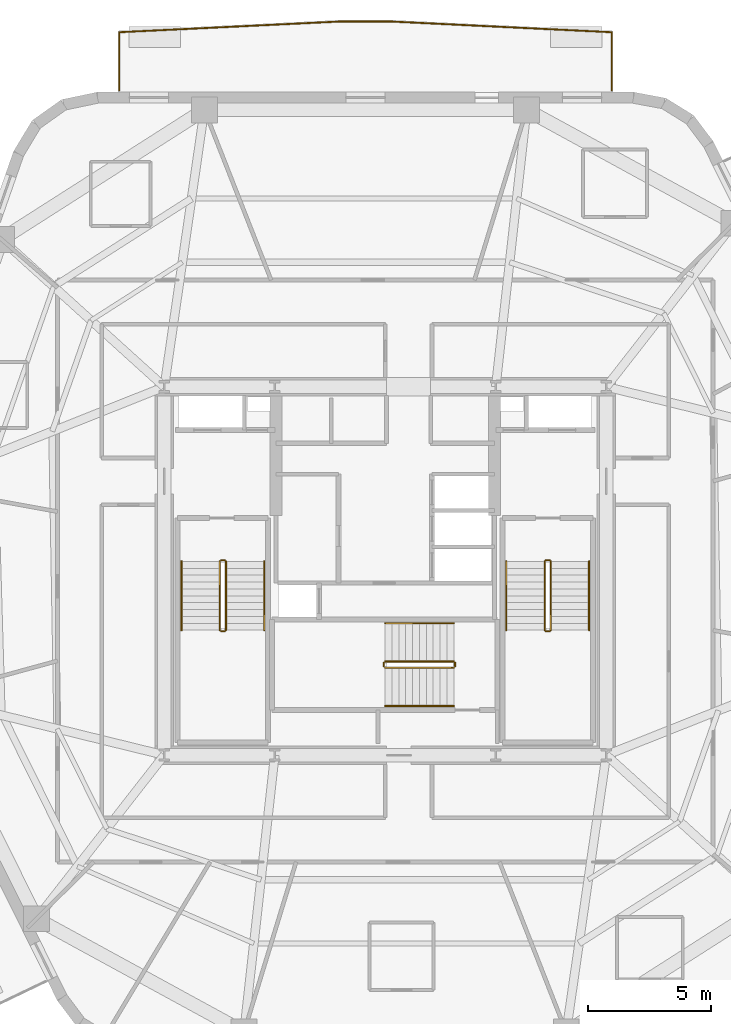
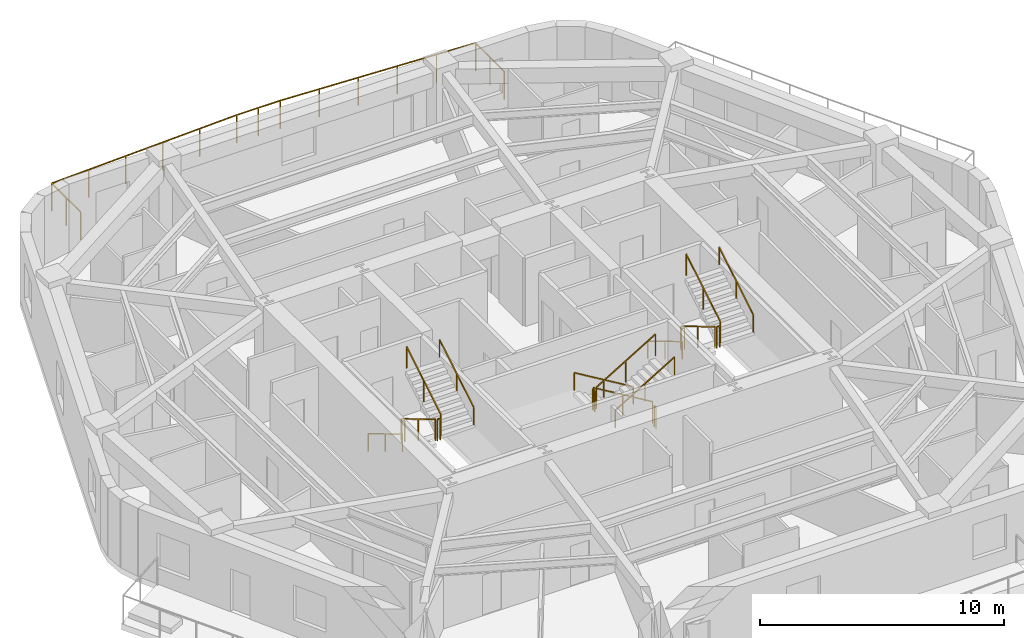
# One storey, part 9 of 10: 19 railings.
"""IFC4 building model written with IfcOpenShell, lengths in metres."""

from ifc_helpers import new_model, si_unit, direction, frame, origin, origin_2d, place, context, subcontext, project, spatial, rectangle, extrude, material, layer, layer_set, type_object, element, save


model = new_model("IFC4")

# Units and contexts
model_context = context("Model", 3, precision=1e-05, world=origin(), true_north=direction((0.0, 1.0)))
body_context = subcontext(model_context, "Body", "Model", "MODEL_VIEW")
ifc_project = project(units=[si_unit("LENGTHUNIT", "METRE"), si_unit("AREAUNIT", "SQUARE_METRE"), si_unit("VOLUMEUNIT", "CUBIC_METRE"), si_unit("PLANEANGLEUNIT", "RADIAN"), si_unit("MASSUNIT", "GRAM", prefix="KILO")], contexts=[model_context])

# Site, building, storey
site_placement = place(None, origin())
site = spatial("IfcSite", under=ifc_project, at=site_placement, CompositionType="ELEMENT")
building_placement = place(site_placement, origin())
building = spatial("IfcBuilding", under=site, at=building_placement, Name="Kilnhurst Terrace Hotel", CompositionType="ELEMENT")
storey_placement = place(building_placement, frame((0.0, 0.0, 190.39990234375)))
storey = spatial("IfcBuildingStorey", under=building, at=storey_placement, Name="L47", CompositionType="ELEMENT", Elevation=190.39990234375)

# Railings
ifc_material_1 = material(Name="Laminated SentryGlas and Stainless Steel AISI 316L Balustrade", Category="steel")
ifc_layer_1 = layer(ifc_material_1, 0.070068359375, Name="Laminated SentryGlas and Stainless Steel AISI 316L Balustrade")
ifc_layer_set_1 = layer_set([ifc_layer_1], Name="Laminated SentryGlas and Stainless Steel AISI 316L Balustrade")
railing_type_1 = type_object("IfcRailingType", Name="RLG-BAL-1420", PredefinedType="BALUSTRADE", material=ifc_layer_set_1)
railing_1_placement = place(storey_placement, frame((-10.83349609375, 19.580078125, 0.0)))
element("IfcRailing", 1, at=railing_1_placement, inside=storey, type_object=railing_type_1, Name="L47 Exterior Terrace Guardrail BAL-L1B.1", PredefinedType="BALUSTRADE", context=body_context, shape_type="SweptSolid", body=[
    extrude(rectangle(XDim=0.048095703125, YDim=0.048095703125, at=origin_2d()), frame((0.0, 0.0, 1.39599609375), z_axis=(0.0, 1.0, 0.0), x_axis=(-1.0, 0.0, 0.0)), (0.0, 0.0, 1.0), 2.36279296875),
    extrude(rectangle(XDim=0.048095703125, YDim=0.048095703125, at=origin_2d()), frame((0.0, 2.36279296875, 1.39599609375), z_axis=(0.998822813861, 0.048507592295, 0.0), x_axis=(-0.048507592295, 0.998822813861, 0.0)), (0.0, 0.0, 1.0), 9.009033203125),
    extrude(rectangle(XDim=0.048095703125, YDim=0.048095703125, at=origin_2d()), frame((8.99853515625, 2.7998046875, 1.39599609375), z_axis=(1.0, 0.0, 0.0), x_axis=(0.0, 1.0, 0.0)), (0.0, 0.0, 1.0), 2.0556640625),
    extrude(rectangle(XDim=0.048095703125, YDim=0.048095703125, at=origin_2d()), frame((11.05419921875, 2.7998046875, 1.39599609375), z_axis=(0.998822813861, -0.048507592295, 0.0), x_axis=(0.048507592295, 0.998822813861, 0.0)), (0.0, 0.0, 1.0), 9.009033203125),
    extrude(rectangle(XDim=0.048095703125, YDim=0.048095703125, at=origin_2d()), frame((20.052734375, 2.36279296875, 1.39599609375), z_axis=(0.0, -1.0, 0.0), x_axis=(1.0, 0.0, 0.0)), (0.0, 0.0, 1.0), 2.36279296875),
    extrude(rectangle(XDim=0.0419921875, YDim=0.0419921875, at=origin_2d()), origin(), (0.0, 0.0, 1.0), 1.371826171875),
    extrude(rectangle(XDim=0.0419921875, YDim=0.0419921875, at=origin_2d()), frame((0.0, 1.181396484375, 0.0)), (0.0, 0.0, 1.0), 1.371826171875),
    extrude(rectangle(XDim=0.0419921875, YDim=0.0419921875, at=origin_2d()), frame((0.0, 2.36279296875, 0.0)), (0.0, 0.0, 1.0), 1.371826171875),
    extrude(rectangle(XDim=0.0419921875, YDim=0.0419921875, at=origin_2d()), frame((1.7998046875, 2.4501953125, 0.0)), (0.0, 0.0, 1.0), 1.371826171875),
    extrude(rectangle(XDim=0.0419921875, YDim=0.0419921875, at=origin_2d()), frame((3.599365234375, 2.53759765625, 0.0)), (0.0, 0.0, 1.0), 1.371826171875),
    extrude(rectangle(XDim=0.0419921875, YDim=0.0419921875, at=origin_2d()), frame((5.399169921875, 2.625, 0.0)), (0.0, 0.0, 1.0), 1.371826171875),
    extrude(rectangle(XDim=0.0419921875, YDim=0.0419921875, at=origin_2d()), frame((7.19873046875, 2.71240234375, 0.0)), (0.0, 0.0, 1.0), 1.371826171875),
    extrude(rectangle(XDim=0.0419921875, YDim=0.0419921875, at=origin_2d()), frame((8.99853515625, 2.7998046875, 0.0)), (0.0, 0.0, 1.0), 1.371826171875),
    extrude(rectangle(XDim=0.0419921875, YDim=0.0419921875, at=origin_2d()), frame((10.0263671875, 2.7998046875, 0.0)), (0.0, 0.0, 1.0), 1.371826171875),
    extrude(rectangle(XDim=0.0419921875, YDim=0.0419921875, at=origin_2d()), frame((11.05419921875, 2.7998046875, 0.0)), (0.0, 0.0, 1.0), 1.371826171875),
    extrude(rectangle(XDim=0.0419921875, YDim=0.0419921875, at=origin_2d()), frame((12.85400390625, 2.71240234375, 0.0)), (0.0, 0.0, 1.0), 1.371826171875),
    extrude(rectangle(XDim=0.0419921875, YDim=0.0419921875, at=origin_2d()), frame((14.653564453125, 2.625, 0.0)), (0.0, 0.0, 1.0), 1.371826171875),
    extrude(rectangle(XDim=0.0419921875, YDim=0.0419921875, at=origin_2d()), frame((16.453369140625, 2.53759765625, 0.0)), (0.0, 0.0, 1.0), 1.371826171875),
    extrude(rectangle(XDim=0.0419921875, YDim=0.0419921875, at=origin_2d()), frame((18.2529296875, 2.4501953125, 0.0)), (0.0, 0.0, 1.0), 1.371826171875),
    extrude(rectangle(XDim=0.0419921875, YDim=0.0419921875, at=origin_2d()), frame((20.052734375, 2.36279296875, 0.0)), (0.0, 0.0, 1.0), 1.371826171875),
    extrude(rectangle(XDim=0.0419921875, YDim=0.0419921875, at=origin_2d()), frame((20.052734375, 1.181396484375, 0.0)), (0.0, 0.0, 1.0), 1.371826171875),
    extrude(rectangle(XDim=0.0419921875, YDim=0.0419921875, at=origin_2d()), frame((20.052734375, 0.0, 0.0)), (0.0, 0.0, 1.0), 1.371826171875),
])
ifc_material_2 = material(Name="Powder-Coated Steel ASTM A500 Grade B", Category="steel")
ifc_layer_2 = layer(ifc_material_2, 0.050048828125, Name="Powder-Coated Steel ASTM A500 Grade B")
ifc_layer_set_2 = layer_set([ifc_layer_2], Name="Powder-Coated Steel ASTM A500 Grade B")
railing_type_2 = type_object("IfcRailingType", Name="RLG-ST-GRD-1100", PredefinedType="GUARDRAIL", material=ifc_layer_set_2)
railing_2_placement = place(storey_placement, frame((-6.739990234375, 0.389892578125, 0.168212890625)))
element("IfcRailing", 2, at=railing_2_placement, inside=storey, type_object=railing_type_2, Name="L47 ST-1 stair guard 1", PredefinedType="GUARDRAIL", context=body_context, shape_type="SweptSolid", body=[
    extrude(rectangle(XDim=0.048095703125, YDim=0.048095703125, at=origin_2d()), frame((0.0, 0.0, 1.076171875), z_axis=(0.0, -0.857222391501, 0.514946377315), x_axis=(1.0, 0.0, 0.0)), (0.0, 0.0, 1.0), 3.26611328125),
    extrude(rectangle(XDim=0.0419921875, YDim=0.0419921875, at=origin_2d()), origin(), (0.0, 0.0, 1.0), 1.052001953125),
    extrude(rectangle(XDim=0.0419921875, YDim=0.0419921875, at=origin_2d()), frame((0.0, -1.39990234375, 0.8408203125)), (0.0, 0.0, 1.0), 1.052001953125),
    extrude(rectangle(XDim=0.0419921875, YDim=0.0419921875, at=origin_2d()), frame((0.0, -2.7998046875, 1.681884765625)), (0.0, 0.0, 1.0), 1.052001953125),
])
railing_3_placement = place(storey_placement, frame((-6.68994140625, -2.4599609375, 1.85009765625)))
element("IfcRailing", 3, at=railing_3_placement, inside=storey, type_object=railing_type_2, Name="L47 ST-1 stair guard 2", PredefinedType="GUARDRAIL", context=body_context, shape_type="SweptSolid", body=[
    extrude(rectangle(XDim=0.048095703125, YDim=0.048095703125, at=origin_2d()), frame((0.0, 0.0, 1.076171875), z_axis=(1.0, 0.0, 0.0), x_axis=(0.0, 1.0, 0.0)), (0.0, 0.0, 1.0), 0.14990234375),
    extrude(rectangle(XDim=0.0419921875, YDim=0.0419921875, at=origin_2d()), origin(), (0.0, 0.0, 1.0), 1.052001953125),
    extrude(rectangle(XDim=0.0419921875, YDim=0.0419921875, at=origin_2d()), frame((0.14990234375, 0.0, 0.0)), (0.0, 0.0, 1.0), 1.052001953125),
])
railing_4_placement = place(storey_placement, frame((-6.489990234375, -2.409912109375, 2.018310546875)))
element("IfcRailing", 4, at=railing_4_placement, inside=storey, type_object=railing_type_2, Name="L47 ST-1 stair guard 3", PredefinedType="GUARDRAIL", context=body_context, shape_type="SweptSolid", body=[
    extrude(rectangle(XDim=0.048095703125, YDim=0.048095703125, at=origin_2d()), frame((0.0, 0.0, 1.076171875), z_axis=(0.0, 0.857222391501, 0.514946377315), x_axis=(-1.0, 0.0, 0.0)), (0.0, 0.0, 1.0), 3.26611328125),
    extrude(rectangle(XDim=0.0419921875, YDim=0.0419921875, at=origin_2d()), origin(), (0.0, 0.0, 1.0), 1.052001953125),
    extrude(rectangle(XDim=0.0419921875, YDim=0.0419921875, at=origin_2d()), frame((0.0, 1.39990234375, 0.8408203125)), (0.0, 0.0, 1.0), 1.052001953125),
    extrude(rectangle(XDim=0.0419921875, YDim=0.0419921875, at=origin_2d()), frame((0.0, 2.7998046875, 1.681884765625)), (0.0, 0.0, 1.0), 1.052001953125),
])
railing_5_placement = place(storey_placement, frame((-6.68994140625, 0.43994140625, 0.0)))
element("IfcRailing", 5, at=railing_5_placement, inside=storey, type_object=railing_type_2, Name="L47 ST-1 stair guard 4", PredefinedType="GUARDRAIL", context=body_context, shape_type="SweptSolid", body=[
    extrude(rectangle(XDim=0.048095703125, YDim=0.048095703125, at=origin_2d()), frame((0.0, 0.0, 1.076171875), z_axis=(1.0, 0.0, 0.0), x_axis=(0.0, 1.0, 0.0)), (0.0, 0.0, 1.0), 0.14990234375),
    extrude(rectangle(XDim=0.0419921875, YDim=0.0419921875, at=origin_2d()), origin(), (0.0, 0.0, 1.0), 1.052001953125),
    extrude(rectangle(XDim=0.0419921875, YDim=0.0419921875, at=origin_2d()), frame((0.14990234375, 0.0, 0.0)), (0.0, 0.0, 1.0), 1.052001953125),
])
railing_6_placement = place(storey_placement, frame((6.489990234375, 0.389892578125, 0.168212890625)))
element("IfcRailing", 6, at=railing_6_placement, inside=storey, type_object=railing_type_2, Name="L47 ST-2 stair guard 1", PredefinedType="GUARDRAIL", context=body_context, shape_type="SweptSolid", body=[
    extrude(rectangle(XDim=0.048095703125, YDim=0.048095703125, at=origin_2d()), frame((0.0, 0.0, 1.076171875), z_axis=(0.0, -0.857222391501, 0.514946377315), x_axis=(1.0, 0.0, 0.0)), (0.0, 0.0, 1.0), 3.26611328125),
    extrude(rectangle(XDim=0.0419921875, YDim=0.0419921875, at=origin_2d()), origin(), (0.0, 0.0, 1.0), 1.052001953125),
    extrude(rectangle(XDim=0.0419921875, YDim=0.0419921875, at=origin_2d()), frame((0.0, -1.39990234375, 0.8408203125)), (0.0, 0.0, 1.0), 1.052001953125),
    extrude(rectangle(XDim=0.0419921875, YDim=0.0419921875, at=origin_2d()), frame((0.0, -2.7998046875, 1.681884765625)), (0.0, 0.0, 1.0), 1.052001953125),
])
railing_7_placement = place(storey_placement, frame((6.5400390625, -2.4599609375, 1.85009765625)))
element("IfcRailing", 7, at=railing_7_placement, inside=storey, type_object=railing_type_2, Name="L47 ST-2 stair guard 2", PredefinedType="GUARDRAIL", context=body_context, shape_type="SweptSolid", body=[
    extrude(rectangle(XDim=0.048095703125, YDim=0.048095703125, at=origin_2d()), frame((0.0, 0.0, 1.076171875), z_axis=(1.0, 0.0, 0.0), x_axis=(0.0, 1.0, 0.0)), (0.0, 0.0, 1.0), 0.14990234375),
    extrude(rectangle(XDim=0.0419921875, YDim=0.0419921875, at=origin_2d()), origin(), (0.0, 0.0, 1.0), 1.052001953125),
    extrude(rectangle(XDim=0.0419921875, YDim=0.0419921875, at=origin_2d()), frame((0.14990234375, 0.0, 0.0)), (0.0, 0.0, 1.0), 1.052001953125),
])
railing_8_placement = place(storey_placement, frame((6.739990234375, -2.409912109375, 2.018310546875)))
element("IfcRailing", 8, at=railing_8_placement, inside=storey, type_object=railing_type_2, Name="L47 ST-2 stair guard 3", PredefinedType="GUARDRAIL", context=body_context, shape_type="SweptSolid", body=[
    extrude(rectangle(XDim=0.048095703125, YDim=0.048095703125, at=origin_2d()), frame((0.0, 0.0, 1.076171875), z_axis=(0.0, 0.857222391501, 0.514946377315), x_axis=(-1.0, 0.0, 0.0)), (0.0, 0.0, 1.0), 3.26611328125),
    extrude(rectangle(XDim=0.0419921875, YDim=0.0419921875, at=origin_2d()), origin(), (0.0, 0.0, 1.0), 1.052001953125),
    extrude(rectangle(XDim=0.0419921875, YDim=0.0419921875, at=origin_2d()), frame((0.0, 1.39990234375, 0.8408203125)), (0.0, 0.0, 1.0), 1.052001953125),
    extrude(rectangle(XDim=0.0419921875, YDim=0.0419921875, at=origin_2d()), frame((0.0, 2.7998046875, 1.681884765625)), (0.0, 0.0, 1.0), 1.052001953125),
])
railing_9_placement = place(storey_placement, frame((6.5400390625, 0.43994140625, 0.0)))
element("IfcRailing", 9, at=railing_9_placement, inside=storey, type_object=railing_type_2, Name="L47 ST-2 stair guard 4", PredefinedType="GUARDRAIL", context=body_context, shape_type="SweptSolid", body=[
    extrude(rectangle(XDim=0.048095703125, YDim=0.048095703125, at=origin_2d()), frame((0.0, 0.0, 1.076171875), z_axis=(1.0, 0.0, 0.0), x_axis=(0.0, 1.0, 0.0)), (0.0, 0.0, 1.0), 0.14990234375),
    extrude(rectangle(XDim=0.0419921875, YDim=0.0419921875, at=origin_2d()), origin(), (0.0, 0.0, 1.0), 1.052001953125),
    extrude(rectangle(XDim=0.0419921875, YDim=0.0419921875, at=origin_2d()), frame((0.14990234375, 0.0, 0.0)), (0.0, 0.0, 1.0), 1.052001953125),
])
railing_10_placement = place(storey_placement, frame((2.7900390625, -3.68994140625, 0.168212890625)))
element("IfcRailing", 10, at=railing_10_placement, inside=storey, type_object=railing_type_2, Name="L47 ST-3 stair guard 1", PredefinedType="GUARDRAIL", context=body_context, shape_type="SweptSolid", body=[
    extrude(rectangle(XDim=0.048095703125, YDim=0.048095703125, at=origin_2d()), frame((0.0, 0.0, 1.076171875), z_axis=(-0.857242210791, 0.0, 0.514913383045), x_axis=(0.0, -1.0, 0.0)), (0.0, 0.0, 1.0), 3.266357421875),
    extrude(rectangle(XDim=0.0419921875, YDim=0.0419921875, at=origin_2d()), origin(), (0.0, 0.0, 1.0), 1.052001953125),
    extrude(rectangle(XDim=0.0419921875, YDim=0.0419921875, at=origin_2d()), frame((-1.39990234375, 0.0, 0.8408203125)), (0.0, 0.0, 1.0), 1.052001953125),
    extrude(rectangle(XDim=0.0419921875, YDim=0.0419921875, at=origin_2d()), frame((-2.800048828125, 0.0, 1.681884765625)), (0.0, 0.0, 1.0), 1.052001953125),
])
railing_11_placement = place(storey_placement, frame((-0.06005859375, -3.739990234375, 1.85009765625)))
element("IfcRailing", 11, at=railing_11_placement, inside=storey, type_object=railing_type_2, Name="L47 ST-3 stair guard 2", PredefinedType="GUARDRAIL", context=body_context, shape_type="SweptSolid", body=[
    extrude(rectangle(XDim=0.048095703125, YDim=0.048095703125, at=origin_2d()), frame((0.0, 0.0, 1.076171875), z_axis=(0.0, -1.0, 0.0), x_axis=(1.0, 0.0, 0.0)), (0.0, 0.0, 1.0), 0.14990234375),
    extrude(rectangle(XDim=0.0419921875, YDim=0.0419921875, at=origin_2d()), origin(), (0.0, 0.0, 1.0), 1.052001953125),
    extrude(rectangle(XDim=0.0419921875, YDim=0.0419921875, at=origin_2d()), frame((0.0, -0.14990234375, 0.0)), (0.0, 0.0, 1.0), 1.052001953125),
])
railing_12_placement = place(storey_placement, frame((-0.010009765625, -3.93994140625, 2.018310546875)))
element("IfcRailing", 12, at=railing_12_placement, inside=storey, type_object=railing_type_2, Name="L47 ST-3 stair guard 3", PredefinedType="GUARDRAIL", context=body_context, shape_type="SweptSolid", body=[
    extrude(rectangle(XDim=0.048095703125, YDim=0.048095703125, at=origin_2d()), frame((0.0, 0.0, 1.076171875), z_axis=(0.857242210791, 0.0, 0.514913383045), x_axis=(0.0, 1.0, 0.0)), (0.0, 0.0, 1.0), 3.266357421875),
    extrude(rectangle(XDim=0.0419921875, YDim=0.0419921875, at=origin_2d()), origin(), (0.0, 0.0, 1.0), 1.052001953125),
    extrude(rectangle(XDim=0.0419921875, YDim=0.0419921875, at=origin_2d()), frame((1.39990234375, 0.0, 0.8408203125)), (0.0, 0.0, 1.0), 1.052001953125),
    extrude(rectangle(XDim=0.0419921875, YDim=0.0419921875, at=origin_2d()), frame((2.800048828125, 0.0, 1.681884765625)), (0.0, 0.0, 1.0), 1.052001953125),
])
railing_13_placement = place(storey_placement, frame((2.840087890625, -3.739990234375, 0.0)))
element("IfcRailing", 13, at=railing_13_placement, inside=storey, type_object=railing_type_2, Name="L47 ST-3 stair guard 4", PredefinedType="GUARDRAIL", context=body_context, shape_type="SweptSolid", body=[
    extrude(rectangle(XDim=0.048095703125, YDim=0.048095703125, at=origin_2d()), frame((0.0, 0.0, 1.076171875), z_axis=(0.0, -1.0, 0.0), x_axis=(1.0, 0.0, 0.0)), (0.0, 0.0, 1.0), 0.14990234375),
    extrude(rectangle(XDim=0.0419921875, YDim=0.0419921875, at=origin_2d()), origin(), (0.0, 0.0, 1.0), 1.052001953125),
    extrude(rectangle(XDim=0.0419921875, YDim=0.0419921875, at=origin_2d()), frame((0.0, -0.14990234375, 0.0)), (0.0, 0.0, 1.0), 1.052001953125),
])
ifc_material_3 = material(Name="Brushed Stainless Steel AISI 304", Category="steel")
ifc_layer_3 = layer(ifc_material_3, 0.048095703125, Name="Brushed Stainless Steel AISI 304")
ifc_layer_set_3 = layer_set([ifc_layer_3], Name="Brushed Stainless Steel AISI 304")
railing_type_3 = type_object("IfcRailingType", Name="RLG-ST-HRL-900", PredefinedType="HANDRAIL", material=ifc_layer_set_3)
railing_14_placement = place(storey_placement, frame((-8.300048828125, 0.389892578125, 0.168212890625)))
element("IfcRailing", 14, at=railing_14_placement, inside=storey, type_object=railing_type_3, Name="L47 ST-1 stair handrail 1", PredefinedType="HANDRAIL", context=body_context, shape_type="SweptSolid", body=[
    extrude(rectangle(XDim=0.048095703125, YDim=0.048095703125, at=origin_2d()), frame((0.0, 0.0, 0.8759765625), z_axis=(0.0, -0.857222391501, 0.514946377315), x_axis=(1.0, 0.0, 0.0)), (0.0, 0.0, 1.0), 3.26611328125),
    extrude(rectangle(XDim=0.0419921875, YDim=0.0419921875, at=origin_2d()), origin(), (0.0, 0.0, 1.0), 0.851806640625),
    extrude(rectangle(XDim=0.0419921875, YDim=0.0419921875, at=origin_2d()), frame((0.0, -1.39990234375, 0.8408203125)), (0.0, 0.0, 1.0), 0.851806640625),
    extrude(rectangle(XDim=0.0419921875, YDim=0.0419921875, at=origin_2d()), frame((0.0, -2.7998046875, 1.681884765625)), (0.0, 0.0, 1.0), 0.851806640625),
])
railing_15_placement = place(storey_placement, frame((-4.929931640625, -2.409912109375, 2.018310546875)))
element("IfcRailing", 15, at=railing_15_placement, inside=storey, type_object=railing_type_3, Name="L47 ST-1 stair handrail 2", PredefinedType="HANDRAIL", context=body_context, shape_type="SweptSolid", body=[
    extrude(rectangle(XDim=0.048095703125, YDim=0.048095703125, at=origin_2d()), frame((0.0, 0.0, 0.8759765625), z_axis=(0.0, 0.857222391501, 0.514946377315), x_axis=(-1.0, 0.0, 0.0)), (0.0, 0.0, 1.0), 3.26611328125),
    extrude(rectangle(XDim=0.0419921875, YDim=0.0419921875, at=origin_2d()), origin(), (0.0, 0.0, 1.0), 0.851806640625),
    extrude(rectangle(XDim=0.0419921875, YDim=0.0419921875, at=origin_2d()), frame((0.0, 1.39990234375, 0.8408203125)), (0.0, 0.0, 1.0), 0.851806640625),
    extrude(rectangle(XDim=0.0419921875, YDim=0.0419921875, at=origin_2d()), frame((0.0, 2.7998046875, 1.681884765625)), (0.0, 0.0, 1.0), 0.851806640625),
])
railing_16_placement = place(storey_placement, frame((4.929931640625, 0.389892578125, 0.168212890625)))
element("IfcRailing", 16, at=railing_16_placement, inside=storey, type_object=railing_type_3, Name="L47 ST-2 stair handrail 1", PredefinedType="HANDRAIL", context=body_context, shape_type="SweptSolid", body=[
    extrude(rectangle(XDim=0.048095703125, YDim=0.048095703125, at=origin_2d()), frame((0.0, 0.0, 0.8759765625), z_axis=(0.0, -0.857222391501, 0.514946377315), x_axis=(1.0, 0.0, 0.0)), (0.0, 0.0, 1.0), 3.26611328125),
    extrude(rectangle(XDim=0.0419921875, YDim=0.0419921875, at=origin_2d()), origin(), (0.0, 0.0, 1.0), 0.851806640625),
    extrude(rectangle(XDim=0.0419921875, YDim=0.0419921875, at=origin_2d()), frame((0.0, -1.39990234375, 0.8408203125)), (0.0, 0.0, 1.0), 0.851806640625),
    extrude(rectangle(XDim=0.0419921875, YDim=0.0419921875, at=origin_2d()), frame((0.0, -2.7998046875, 1.681884765625)), (0.0, 0.0, 1.0), 0.851806640625),
])
railing_17_placement = place(storey_placement, frame((8.300048828125, -2.409912109375, 2.018310546875)))
element("IfcRailing", 17, at=railing_17_placement, inside=storey, type_object=railing_type_3, Name="L47 ST-2 stair handrail 2", PredefinedType="HANDRAIL", context=body_context, shape_type="SweptSolid", body=[
    extrude(rectangle(XDim=0.048095703125, YDim=0.048095703125, at=origin_2d()), frame((0.0, 0.0, 0.8759765625), z_axis=(0.0, 0.857222391501, 0.514946377315), x_axis=(-1.0, 0.0, 0.0)), (0.0, 0.0, 1.0), 3.26611328125),
    extrude(rectangle(XDim=0.0419921875, YDim=0.0419921875, at=origin_2d()), origin(), (0.0, 0.0, 1.0), 0.851806640625),
    extrude(rectangle(XDim=0.0419921875, YDim=0.0419921875, at=origin_2d()), frame((0.0, 1.39990234375, 0.8408203125)), (0.0, 0.0, 1.0), 0.851806640625),
    extrude(rectangle(XDim=0.0419921875, YDim=0.0419921875, at=origin_2d()), frame((0.0, 2.7998046875, 1.681884765625)), (0.0, 0.0, 1.0), 0.851806640625),
])
railing_18_placement = place(storey_placement, frame((2.7900390625, -2.1298828125, 0.168212890625)))
element("IfcRailing", 18, at=railing_18_placement, inside=storey, type_object=railing_type_3, Name="L47 ST-3 stair handrail 1", PredefinedType="HANDRAIL", context=body_context, shape_type="SweptSolid", body=[
    extrude(rectangle(XDim=0.048095703125, YDim=0.048095703125, at=origin_2d()), frame((0.0, 0.0, 0.8759765625), z_axis=(-0.857242210791, 0.0, 0.514913383045), x_axis=(0.0, -1.0, 0.0)), (0.0, 0.0, 1.0), 3.266357421875),
    extrude(rectangle(XDim=0.0419921875, YDim=0.0419921875, at=origin_2d()), origin(), (0.0, 0.0, 1.0), 0.851806640625),
    extrude(rectangle(XDim=0.0419921875, YDim=0.0419921875, at=origin_2d()), frame((-1.39990234375, 0.0, 0.8408203125)), (0.0, 0.0, 1.0), 0.851806640625),
    extrude(rectangle(XDim=0.0419921875, YDim=0.0419921875, at=origin_2d()), frame((-2.800048828125, 0.0, 1.681884765625)), (0.0, 0.0, 1.0), 0.851806640625),
])
railing_19_placement = place(storey_placement, frame((-0.010009765625, -5.5, 2.018310546875)))
element("IfcRailing", 19, at=railing_19_placement, inside=storey, type_object=railing_type_3, Name="L47 ST-3 stair handrail 2", PredefinedType="HANDRAIL", context=body_context, shape_type="SweptSolid", body=[
    extrude(rectangle(XDim=0.048095703125, YDim=0.048095703125, at=origin_2d()), frame((0.0, 0.0, 0.8759765625), z_axis=(0.857242210791, 0.0, 0.514913383045), x_axis=(0.0, 1.0, 0.0)), (0.0, 0.0, 1.0), 3.266357421875),
    extrude(rectangle(XDim=0.0419921875, YDim=0.0419921875, at=origin_2d()), origin(), (0.0, 0.0, 1.0), 0.851806640625),
    extrude(rectangle(XDim=0.0419921875, YDim=0.0419921875, at=origin_2d()), frame((1.39990234375, 0.0, 0.8408203125)), (0.0, 0.0, 1.0), 0.851806640625),
    extrude(rectangle(XDim=0.0419921875, YDim=0.0419921875, at=origin_2d()), frame((2.800048828125, 0.0, 1.681884765625)), (0.0, 0.0, 1.0), 0.851806640625),
])

save(model, "model.ifc")
